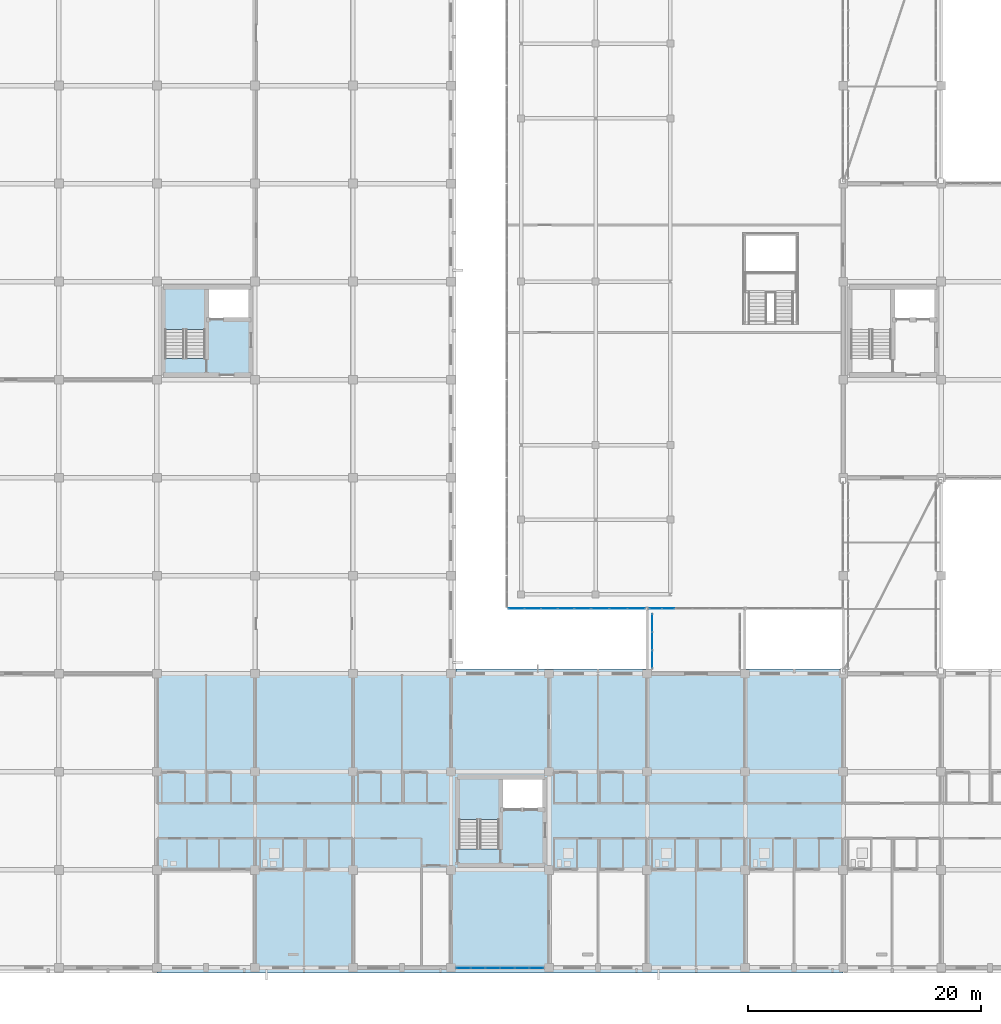
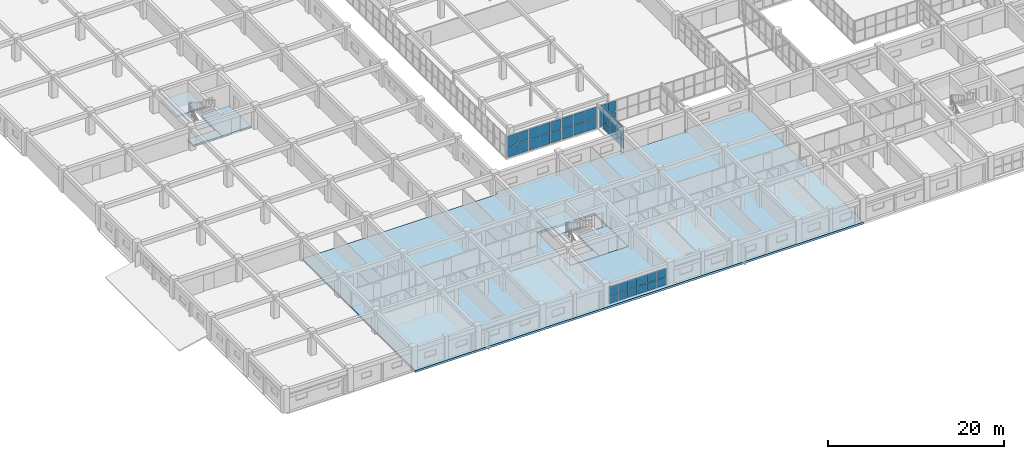
# One storey, part 145 of 200: 38 plates, 7 slabs, 7 elements without a shape of their own.
"""IFC4 building model written with IfcOpenShell, lengths in metres."""

from ifc_helpers import new_model, si_unit, direction, frame, origin, origin_2d, place, context, subcontext, project, spatial, polyline, rectangle, outline, extrude, material, layer, layer_set, type_object, element, aggregate, save


model = new_model("IFC4")

# Units and contexts
model_context = context("Model", 3, precision=1e-05, world=origin(), true_north=direction((0.0, 1.0)))
body_context = subcontext(model_context, "Body", "Model", "MODEL_VIEW")
ifc_project = project(units=[si_unit("LENGTHUNIT", "METRE"), si_unit("AREAUNIT", "SQUARE_METRE"), si_unit("VOLUMEUNIT", "CUBIC_METRE"), si_unit("PLANEANGLEUNIT", "RADIAN"), si_unit("MASSUNIT", "GRAM", prefix="KILO")], contexts=[model_context])

# Site, building, storey
site_placement = place(None, origin())
site = spatial("IfcSite", under=ifc_project, at=site_placement, CompositionType="ELEMENT")
building_placement = place(site_placement, origin())
building = spatial("IfcBuilding", under=site, at=building_placement, Name="Trelvath General Hospital", CompositionType="ELEMENT")
storey_placement = place(building_placement, frame((0.0, 0.0, 4.800048828125)))
storey = spatial("IfcBuildingStorey", under=building, at=storey_placement, Name="L01", CompositionType="ELEMENT", Elevation=4.800048828125)

# Curtain wall, plates
ifc_material_1 = material(Name="Anodised aluminium and low-E glass", Category="aluminium")
ifc_layer_1 = layer(ifc_material_1, 0.14990234375)
ifc_layer_set_1 = layer_set([ifc_layer_1], Name="Anodised aluminium and low-E glass")
curtain_wall_type_1 = type_object("IfcCurtainWallType", Name="CW CrystalCube 710 306 15", PredefinedType="USERDEFINED", material=ifc_layer_set_1)
curtain_wall_1_placement = place(storey_placement, origin())
curtain_wall_1 = element("IfcCurtainWall", 1, at=curtain_wall_1_placement, inside=storey, type_object=curtain_wall_type_1, Name="Crystal Cube Curtain Wall CUBE-W-T0 S1 L01", ObjectType="Unitised Glazed Curtain Wall", PredefinedType="USERDEFINED")
ifc_material_2 = material(Name="Low-E laminated glass", Category="glass")
ifc_layer_2 = layer(ifc_material_2, 0.028076171875)
ifc_layer_set_2 = layer_set([ifc_layer_2], Name="Low-E laminated glass")
plate_type_1 = type_object("IfcPlateType", Name="CurtainPanel Glass28", PredefinedType="CURTAIN_PANEL", material=ifc_layer_set_2)
plate_1_placement = place(storey_placement, frame((53.2548828125, 30.800048828125, 0.06005859375), z_axis=(0.0, 0.0, 1.0), x_axis=(-1.0, 0.0, 0.0)))
plate_1 = element("IfcPlate", 2, at=plate_1_placement, type_object=plate_type_1, Name="CW-128 panel 1.1", PredefinedType="CURTAIN_PANEL", context=body_context, shape_type="SweptSolid", body=[
    extrude(rectangle(XDim=1.330078125, YDim=0.028076171875, at=origin_2d()), origin(), (0.0, 0.0, 1.0), 1.43994140625),
])
plate_2_placement = place(storey_placement, frame((53.2548828125, 30.800048828125, 1.56005859375), z_axis=(0.0, 0.0, 1.0), x_axis=(-1.0, 0.0, 0.0)))
plate_2 = element("IfcPlate", 3, at=plate_2_placement, type_object=plate_type_1, Name="CW-128 panel 1.2", PredefinedType="CURTAIN_PANEL", context=body_context, shape_type="SweptSolid", body=[
    extrude(rectangle(XDim=1.330078125, YDim=0.028076171875, at=origin_2d()), origin(), (0.0, 0.0, 1.0), 1.43994140625),
])
plate_3_placement = place(storey_placement, frame((51.85009765625, 30.800048828125, 0.06005859375), z_axis=(0.0, 0.0, 1.0), x_axis=(-1.0, 0.0, 0.0)))
plate_3 = element("IfcPlate", 4, at=plate_3_placement, type_object=plate_type_1, Name="CW-128 panel 2.1", PredefinedType="CURTAIN_PANEL", context=body_context, shape_type="SweptSolid", body=[
    extrude(rectangle(XDim=1.360107421875, YDim=0.028076171875, at=origin_2d()), origin(), (0.0, 0.0, 1.0), 1.43994140625),
])
plate_4_placement = place(storey_placement, frame((51.85009765625, 30.800048828125, 1.56005859375), z_axis=(0.0, 0.0, 1.0), x_axis=(-1.0, 0.0, 0.0)))
plate_4 = element("IfcPlate", 5, at=plate_4_placement, type_object=plate_type_1, Name="CW-128 panel 2.2", PredefinedType="CURTAIN_PANEL", context=body_context, shape_type="SweptSolid", body=[
    extrude(rectangle(XDim=1.360107421875, YDim=0.028076171875, at=origin_2d()), origin(), (0.0, 0.0, 1.0), 1.43994140625),
])
plate_5_placement = place(storey_placement, frame((50.429931640625, 30.800048828125, 0.06005859375), z_axis=(0.0, 0.0, 1.0), x_axis=(-1.0, 0.0, 0.0)))
plate_5 = element("IfcPlate", 6, at=plate_5_placement, type_object=plate_type_1, Name="CW-128 panel 3.1", PredefinedType="CURTAIN_PANEL", context=body_context, shape_type="SweptSolid", body=[
    extrude(rectangle(XDim=1.360107421875, YDim=0.028076171875, at=origin_2d()), origin(), (0.0, 0.0, 1.0), 1.43994140625),
])
plate_6_placement = place(storey_placement, frame((50.429931640625, 30.800048828125, 1.56005859375), z_axis=(0.0, 0.0, 1.0), x_axis=(-1.0, 0.0, 0.0)))
plate_6 = element("IfcPlate", 7, at=plate_6_placement, type_object=plate_type_1, Name="CW-128 panel 3.2", PredefinedType="CURTAIN_PANEL", context=body_context, shape_type="SweptSolid", body=[
    extrude(rectangle(XDim=1.360107421875, YDim=0.028076171875, at=origin_2d()), origin(), (0.0, 0.0, 1.0), 1.43994140625),
])
plate_7_placement = place(storey_placement, frame((49.010009765625, 30.800048828125, 0.06005859375), z_axis=(0.0, 0.0, 1.0), x_axis=(-1.0, 0.0, 0.0)))
plate_7 = element("IfcPlate", 8, at=plate_7_placement, type_object=plate_type_1, Name="CW-128 panel 4.1", PredefinedType="CURTAIN_PANEL", context=body_context, shape_type="SweptSolid", body=[
    extrude(rectangle(XDim=1.360107421875, YDim=0.028076171875, at=origin_2d()), origin(), (0.0, 0.0, 1.0), 1.43994140625),
])
plate_8_placement = place(storey_placement, frame((49.010009765625, 30.800048828125, 1.56005859375), z_axis=(0.0, 0.0, 1.0), x_axis=(-1.0, 0.0, 0.0)))
plate_8 = element("IfcPlate", 9, at=plate_8_placement, type_object=plate_type_1, Name="CW-128 panel 4.2", PredefinedType="CURTAIN_PANEL", context=body_context, shape_type="SweptSolid", body=[
    extrude(rectangle(XDim=1.360107421875, YDim=0.028076171875, at=origin_2d()), origin(), (0.0, 0.0, 1.0), 1.43994140625),
])
plate_9_placement = place(storey_placement, frame((47.60498046875, 30.800048828125, 0.06005859375), z_axis=(0.0, 0.0, 1.0), x_axis=(-1.0, 0.0, 0.0)))
plate_9 = element("IfcPlate", 10, at=plate_9_placement, type_object=plate_type_1, Name="CW-128 panel 5.1", PredefinedType="CURTAIN_PANEL", context=body_context, shape_type="SweptSolid", body=[
    extrude(rectangle(XDim=1.330078125, YDim=0.028076171875, at=origin_2d()), origin(), (0.0, 0.0, 1.0), 1.43994140625),
])
plate_10_placement = place(storey_placement, frame((47.60498046875, 30.800048828125, 1.56005859375), z_axis=(0.0, 0.0, 1.0), x_axis=(-1.0, 0.0, 0.0)))
plate_10 = element("IfcPlate", 11, at=plate_10_placement, type_object=plate_type_1, Name="CW-128 panel 5.2", PredefinedType="CURTAIN_PANEL", context=body_context, shape_type="SweptSolid", body=[
    extrude(rectangle(XDim=1.330078125, YDim=0.028076171875, at=origin_2d()), origin(), (0.0, 0.0, 1.0), 1.43994140625),
])
aggregate(curtain_wall_1, [plate_1, plate_2, plate_3, plate_4, plate_5, plate_6, plate_7, plate_8, plate_9, plate_10])

ifc_material_3 = material(Name="Anodised aluminium and low-E glass", Category="aluminium")
ifc_layer_3 = layer(ifc_material_3, 0.14990234375)
ifc_layer_set_3 = layer_set([ifc_layer_3], Name="Anodised aluminium and low-E glass")
curtain_wall_type_2 = type_object("IfcCurtainWallType", Name="CW CrystalCube 463 306 15", PredefinedType="USERDEFINED", material=ifc_layer_set_3)
curtain_wall_2_placement = place(storey_placement, origin())
curtain_wall_2 = element("IfcCurtainWall", 12, at=curtain_wall_2_placement, inside=storey, type_object=curtain_wall_type_2, Name="Crystal Cube Curtain Wall CUBE-W-T0 S2 L01", ObjectType="Unitised Glazed Curtain Wall", PredefinedType="USERDEFINED")
plate_11_placement = place(storey_placement, frame((57.86328125, 30.800048828125, 0.06005859375), z_axis=(0.0, 0.0, 1.0), x_axis=(-1.0, 0.0, 0.0)))
plate_11 = element("IfcPlate", 13, at=plate_11_placement, type_object=plate_type_1, Name="CW-129 panel 1.1", PredefinedType="CURTAIN_PANEL", context=body_context, shape_type="SweptSolid", body=[
    extrude(rectangle(XDim=1.453369140625, YDim=0.028076171875, at=origin_2d()), origin(), (0.0, 0.0, 1.0), 1.43994140625),
])
plate_12_placement = place(storey_placement, frame((57.86328125, 30.800048828125, 1.56005859375), z_axis=(0.0, 0.0, 1.0), x_axis=(-1.0, 0.0, 0.0)))
plate_12 = element("IfcPlate", 14, at=plate_12_placement, type_object=plate_type_1, Name="CW-129 panel 1.2", PredefinedType="CURTAIN_PANEL", context=body_context, shape_type="SweptSolid", body=[
    extrude(rectangle(XDim=1.453369140625, YDim=0.028076171875, at=origin_2d()), origin(), (0.0, 0.0, 1.0), 1.43994140625),
])
plate_13_placement = place(storey_placement, frame((56.3349609375, 30.800048828125, 0.06005859375), z_axis=(0.0, 0.0, 1.0), x_axis=(-1.0, 0.0, 0.0)))
plate_13 = element("IfcPlate", 15, at=plate_13_placement, type_object=plate_type_1, Name="CW-129 panel 2.1", PredefinedType="CURTAIN_PANEL", context=body_context, shape_type="SweptSolid", body=[
    extrude(rectangle(XDim=1.4833984375, YDim=0.028076171875, at=origin_2d()), origin(), (0.0, 0.0, 1.0), 1.43994140625),
])
plate_14_placement = place(storey_placement, frame((56.3349609375, 30.800048828125, 1.56005859375), z_axis=(0.0, 0.0, 1.0), x_axis=(-1.0, 0.0, 0.0)))
plate_14 = element("IfcPlate", 16, at=plate_14_placement, type_object=plate_type_1, Name="CW-129 panel 2.2", PredefinedType="CURTAIN_PANEL", context=body_context, shape_type="SweptSolid", body=[
    extrude(rectangle(XDim=1.4833984375, YDim=0.028076171875, at=origin_2d()), origin(), (0.0, 0.0, 1.0), 1.43994140625),
])
plate_15_placement = place(storey_placement, frame((54.806640625, 30.800048828125, 0.06005859375), z_axis=(0.0, 0.0, 1.0), x_axis=(-1.0, 0.0, 0.0)))
plate_15 = element("IfcPlate", 17, at=plate_15_placement, type_object=plate_type_1, Name="CW-129 panel 3.1", PredefinedType="CURTAIN_PANEL", context=body_context, shape_type="SweptSolid", body=[
    extrude(rectangle(XDim=1.453369140625, YDim=0.028076171875, at=origin_2d()), origin(), (0.0, 0.0, 1.0), 1.43994140625),
])
plate_16_placement = place(storey_placement, frame((54.806640625, 30.800048828125, 1.56005859375), z_axis=(0.0, 0.0, 1.0), x_axis=(-1.0, 0.0, 0.0)))
plate_16 = element("IfcPlate", 18, at=plate_16_placement, type_object=plate_type_1, Name="CW-129 panel 3.2", PredefinedType="CURTAIN_PANEL", context=body_context, shape_type="SweptSolid", body=[
    extrude(rectangle(XDim=1.453369140625, YDim=0.028076171875, at=origin_2d()), origin(), (0.0, 0.0, 1.0), 1.43994140625),
])
aggregate(curtain_wall_2, [plate_11, plate_12, plate_13, plate_14, plate_15, plate_16])

ifc_material_4 = material(Name="Anodised aluminium and low-E glass", Category="aluminium")
ifc_layer_4 = layer(ifc_material_4, 0.14990234375)
ifc_layer_set_4 = layer_set([ifc_layer_4], Name="Anodised aluminium and low-E glass")
curtain_wall_type_3 = type_object("IfcCurtainWallType", Name="CW CrystalCube 223 306 15", PredefinedType="USERDEFINED", material=ifc_layer_set_4)
curtain_wall_3_placement = place(storey_placement, origin())
curtain_wall_3 = element("IfcCurtainWall", 19, at=curtain_wall_3_placement, inside=storey, type_object=curtain_wall_type_3, Name="Crystal Cube Curtain Wall CUBE-W-T0 S3 L01", ObjectType="Unitised Glazed Curtain Wall", PredefinedType="USERDEFINED")
plate_17_placement = place(storey_placement, frame((60.607421875, 30.800048828125, 0.06005859375), z_axis=(0.0, 0.0, 1.0), x_axis=(-1.0, 0.0, 0.0)))
plate_17 = element("IfcPlate", 20, at=plate_17_placement, type_object=plate_type_1, Name="CW-130 panel 1.1", PredefinedType="CURTAIN_PANEL", context=body_context, shape_type="SweptSolid", body=[
    extrude(rectangle(XDim=1.02490234375, YDim=0.028076171875, at=origin_2d()), origin(), (0.0, 0.0, 1.0), 1.43994140625),
])
plate_18_placement = place(storey_placement, frame((60.607421875, 30.800048828125, 1.56005859375), z_axis=(0.0, 0.0, 1.0), x_axis=(-1.0, 0.0, 0.0)))
plate_18 = element("IfcPlate", 21, at=plate_18_placement, type_object=plate_type_1, Name="CW-130 panel 1.2", PredefinedType="CURTAIN_PANEL", context=body_context, shape_type="SweptSolid", body=[
    extrude(rectangle(XDim=1.02490234375, YDim=0.028076171875, at=origin_2d()), origin(), (0.0, 0.0, 1.0), 1.43994140625),
])
plate_19_placement = place(storey_placement, frame((59.5224609375, 30.800048828125, 0.06005859375), z_axis=(0.0, 0.0, 1.0), x_axis=(-1.0, 0.0, 0.0)))
plate_19 = element("IfcPlate", 22, at=plate_19_placement, type_object=plate_type_1, Name="CW-130 panel 2.1", PredefinedType="CURTAIN_PANEL", context=body_context, shape_type="SweptSolid", body=[
    extrude(rectangle(XDim=1.02490234375, YDim=0.028076171875, at=origin_2d()), origin(), (0.0, 0.0, 1.0), 1.43994140625),
])
plate_20_placement = place(storey_placement, frame((59.5224609375, 30.800048828125, 1.56005859375), z_axis=(0.0, 0.0, 1.0), x_axis=(-1.0, 0.0, 0.0)))
plate_20 = element("IfcPlate", 23, at=plate_20_placement, type_object=plate_type_1, Name="CW-130 panel 2.2", PredefinedType="CURTAIN_PANEL", context=body_context, shape_type="SweptSolid", body=[
    extrude(rectangle(XDim=1.02490234375, YDim=0.028076171875, at=origin_2d()), origin(), (0.0, 0.0, 1.0), 1.43994140625),
])
aggregate(curtain_wall_3, [plate_17, plate_18, plate_19, plate_20])

ifc_material_5 = material(Name="Anodised aluminium and low-E glass", Category="aluminium")
ifc_layer_5 = layer(ifc_material_5, 0.139892578125)
ifc_layer_set_5 = layer_set([ifc_layer_5], Name="Anodised aluminium and low-E glass")
curtain_wall_type_4 = type_object("IfcCurtainWallType", Name="CW Bridge 472 311", PredefinedType="USERDEFINED", material=ifc_layer_set_5)
curtain_wall_4_placement = place(storey_placement, origin())
curtain_wall_4 = element("IfcCurtainWall", 24, at=curtain_wall_4_placement, inside=storey, type_object=curtain_wall_type_4, Name="Glazed Bridge Curtain Wall BRG-S-W W L01", ObjectType="Unitised Glazed Curtain Wall", PredefinedType="USERDEFINED")
plate_21_placement = place(storey_placement, frame((59.239990234375, 26.441650390625, 0.06005859375), z_axis=(0.0, 0.0, 1.0), x_axis=(0.0, 1.0, 0.0)))
plate_21 = element("IfcPlate", 25, at=plate_21_placement, type_object=plate_type_1, Name="CW-184 panel 1.1", PredefinedType="CURTAIN_PANEL", context=body_context, shape_type="SweptSolid", body=[
    extrude(rectangle(XDim=1.4833984375, YDim=0.028076171875, at=origin_2d()), origin(), (0.0, 0.0, 1.0), 1.010009765625),
])
plate_22_placement = place(storey_placement, frame((59.239990234375, 26.441650390625, 1.1298828125), z_axis=(0.0, 0.0, 1.0), x_axis=(0.0, 1.0, 0.0)))
plate_22 = element("IfcPlate", 26, at=plate_22_placement, type_object=plate_type_1, Name="CW-184 panel 1.2", PredefinedType="CURTAIN_PANEL", context=body_context, shape_type="SweptSolid", body=[
    extrude(rectangle(XDim=1.4833984375, YDim=0.028076171875, at=origin_2d()), origin(), (0.0, 0.0, 1.0), 1.919921875),
])
plate_23_placement = place(storey_placement, frame((59.239990234375, 28.0, 0.06005859375), z_axis=(0.0, 0.0, 1.0), x_axis=(0.0, 1.0, 0.0)))
plate_23 = element("IfcPlate", 27, at=plate_23_placement, type_object=plate_type_1, Name="CW-184 panel 2.1", PredefinedType="CURTAIN_PANEL", context=body_context, shape_type="SweptSolid", body=[
    extrude(rectangle(XDim=1.513427734375, YDim=0.028076171875, at=origin_2d()), origin(), (0.0, 0.0, 1.0), 1.010009765625),
])
plate_24_placement = place(storey_placement, frame((59.239990234375, 28.0, 1.1298828125), z_axis=(0.0, 0.0, 1.0), x_axis=(0.0, 1.0, 0.0)))
plate_24 = element("IfcPlate", 28, at=plate_24_placement, type_object=plate_type_1, Name="CW-184 panel 2.2", PredefinedType="CURTAIN_PANEL", context=body_context, shape_type="SweptSolid", body=[
    extrude(rectangle(XDim=1.513427734375, YDim=0.028076171875, at=origin_2d()), origin(), (0.0, 0.0, 1.0), 1.919921875),
])
plate_25_placement = place(storey_placement, frame((59.239990234375, 29.558349609375, 0.06005859375), z_axis=(0.0, 0.0, 1.0), x_axis=(0.0, 1.0, 0.0)))
plate_25 = element("IfcPlate", 29, at=plate_25_placement, type_object=plate_type_1, Name="CW-184 panel 3.1", PredefinedType="CURTAIN_PANEL", context=body_context, shape_type="SweptSolid", body=[
    extrude(rectangle(XDim=1.4833984375, YDim=0.028076171875, at=origin_2d()), origin(), (0.0, 0.0, 1.0), 1.010009765625),
])
plate_26_placement = place(storey_placement, frame((59.239990234375, 29.558349609375, 1.1298828125), z_axis=(0.0, 0.0, 1.0), x_axis=(0.0, 1.0, 0.0)))
plate_26 = element("IfcPlate", 30, at=plate_26_placement, type_object=plate_type_1, Name="CW-184 panel 3.2", PredefinedType="CURTAIN_PANEL", context=body_context, shape_type="SweptSolid", body=[
    extrude(rectangle(XDim=1.4833984375, YDim=0.028076171875, at=origin_2d()), origin(), (0.0, 0.0, 1.0), 1.919921875),
])
aggregate(curtain_wall_4, [plate_21, plate_22, plate_23, plate_24, plate_25, plate_26])

ifc_material_6 = material(Name="Anodised aluminium and low-E glass", Category="aluminium")
ifc_layer_6 = layer(ifc_material_6, 0.159912109375)
ifc_layer_set_6 = layer_set([ifc_layer_6], Name="Anodised aluminium and low-E glass")
curtain_wall_type_5 = type_object("IfcCurtainWallType", Name="CW Facade 754 242 16", PredefinedType="USERDEFINED", material=ifc_layer_set_6)
curtain_wall_5_placement = place(storey_placement, origin())
curtain_wall_5 = element("IfcCurtainWall", 31, at=curtain_wall_5_placement, inside=storey, type_object=curtain_wall_type_5, Name="Facade Curtain Wall CW-014", ObjectType="Unitised Glazed Curtain Wall", PredefinedType="USERDEFINED")
ifc_material_7 = material(Name="Insulated aluminium spandrel", Category="aluminium")
ifc_layer_7 = layer(ifc_material_7, 0.0439453125)
ifc_layer_set_7 = layer_set([ifc_layer_7], Name="Insulated aluminium spandrel")
plate_type_2 = type_object("IfcPlateType", Name="CurtainPanel Spandrel44", PredefinedType="CURTAIN_PANEL", material=ifc_layer_set_7)
plate_27_placement = place(storey_placement, frame((49.32666015625, 0.0, 0.06005859375), z_axis=(0.0, 0.0, 1.0), x_axis=(-1.0, 0.0, 0.0)))
plate_27 = element("IfcPlate", 32, at=plate_27_placement, type_object=plate_type_2, Name="CW-014 panel 1.1", PredefinedType="CURTAIN_PANEL", context=body_context, shape_type="SweptSolid", body=[
    extrude(rectangle(XDim=1.166748046875, YDim=0.0439453125, at=origin_2d()), origin(), (0.0, 0.0, 1.0), 1.072021484375),
])
plate_28_placement = place(storey_placement, frame((49.32666015625, 0.0, 1.19189453125), z_axis=(0.0, 0.0, 1.0), x_axis=(-1.0, 0.0, 0.0)))
plate_28 = element("IfcPlate", 33, at=plate_28_placement, type_object=plate_type_2, Name="CW-014 panel 1.2", PredefinedType="CURTAIN_PANEL", context=body_context, shape_type="SweptSolid", body=[
    extrude(rectangle(XDim=1.166748046875, YDim=0.0439453125, at=origin_2d()), origin(), (0.0, 0.0, 1.0), 1.16796875),
])
plate_29_placement = place(storey_placement, frame((48.0849609375, 0.0, 0.06005859375), z_axis=(0.0, 0.0, 1.0), x_axis=(-1.0, 0.0, 0.0)))
plate_29 = element("IfcPlate", 34, at=plate_29_placement, type_object=plate_type_2, Name="CW-014 panel 2.1", PredefinedType="CURTAIN_PANEL", context=body_context, shape_type="SweptSolid", body=[
    extrude(rectangle(XDim=1.19677734375, YDim=0.0439453125, at=origin_2d()), origin(), (0.0, 0.0, 1.0), 1.072021484375),
])
plate_30_placement = place(storey_placement, frame((48.0849609375, 0.0, 1.19189453125), z_axis=(0.0, 0.0, 1.0), x_axis=(-1.0, 0.0, 0.0)))
plate_30 = element("IfcPlate", 35, at=plate_30_placement, type_object=plate_type_2, Name="CW-014 panel 2.2", PredefinedType="CURTAIN_PANEL", context=body_context, shape_type="SweptSolid", body=[
    extrude(rectangle(XDim=1.19677734375, YDim=0.0439453125, at=origin_2d()), origin(), (0.0, 0.0, 1.0), 1.16796875),
])
plate_31_placement = place(storey_placement, frame((46.828369140625, 0.0, 0.06005859375), z_axis=(0.0, 0.0, 1.0), x_axis=(-1.0, 0.0, 0.0)))
plate_31 = element("IfcPlate", 36, at=plate_31_placement, type_object=plate_type_2, Name="CW-014 panel 3.1", PredefinedType="CURTAIN_PANEL", context=body_context, shape_type="SweptSolid", body=[
    extrude(rectangle(XDim=1.19677734375, YDim=0.0439453125, at=origin_2d()), origin(), (0.0, 0.0, 1.0), 1.072021484375),
])
plate_32_placement = place(storey_placement, frame((46.828369140625, 0.0, 1.19189453125), z_axis=(0.0, 0.0, 1.0), x_axis=(-1.0, 0.0, 0.0)))
plate_32 = element("IfcPlate", 37, at=plate_32_placement, type_object=plate_type_2, Name="CW-014 panel 3.2", PredefinedType="CURTAIN_PANEL", context=body_context, shape_type="SweptSolid", body=[
    extrude(rectangle(XDim=1.19677734375, YDim=0.0439453125, at=origin_2d()), origin(), (0.0, 0.0, 1.0), 1.16796875),
])
plate_33_placement = place(storey_placement, frame((45.57177734375, 0.0, 0.06005859375), z_axis=(0.0, 0.0, 1.0), x_axis=(-1.0, 0.0, 0.0)))
plate_33 = element("IfcPlate", 38, at=plate_33_placement, type_object=plate_type_2, Name="CW-014 panel 4.1", PredefinedType="CURTAIN_PANEL", context=body_context, shape_type="SweptSolid", body=[
    extrude(rectangle(XDim=1.19677734375, YDim=0.0439453125, at=origin_2d()), origin(), (0.0, 0.0, 1.0), 1.072021484375),
])
plate_34_placement = place(storey_placement, frame((45.57177734375, 0.0, 1.19189453125), z_axis=(0.0, 0.0, 1.0), x_axis=(-1.0, 0.0, 0.0)))
plate_34 = element("IfcPlate", 39, at=plate_34_placement, type_object=plate_type_2, Name="CW-014 panel 4.2", PredefinedType="CURTAIN_PANEL", context=body_context, shape_type="SweptSolid", body=[
    extrude(rectangle(XDim=1.19677734375, YDim=0.0439453125, at=origin_2d()), origin(), (0.0, 0.0, 1.0), 1.16796875),
])
plate_35_placement = place(storey_placement, frame((44.31494140625, 0.0, 0.06005859375), z_axis=(0.0, 0.0, 1.0), x_axis=(-1.0, 0.0, 0.0)))
plate_35 = element("IfcPlate", 40, at=plate_35_placement, type_object=plate_type_2, Name="CW-014 panel 5.1", PredefinedType="CURTAIN_PANEL", context=body_context, shape_type="SweptSolid", body=[
    extrude(rectangle(XDim=1.19677734375, YDim=0.0439453125, at=origin_2d()), origin(), (0.0, 0.0, 1.0), 1.072021484375),
])
plate_36_placement = place(storey_placement, frame((44.31494140625, 0.0, 1.19189453125), z_axis=(0.0, 0.0, 1.0), x_axis=(-1.0, 0.0, 0.0)))
plate_36 = element("IfcPlate", 41, at=plate_36_placement, type_object=plate_type_2, Name="CW-014 panel 5.2", PredefinedType="CURTAIN_PANEL", context=body_context, shape_type="SweptSolid", body=[
    extrude(rectangle(XDim=1.19677734375, YDim=0.0439453125, at=origin_2d()), origin(), (0.0, 0.0, 1.0), 1.16796875),
])
plate_37_placement = place(storey_placement, frame((43.0732421875, 0.0, 0.06005859375), z_axis=(0.0, 0.0, 1.0), x_axis=(-1.0, 0.0, 0.0)))
plate_37 = element("IfcPlate", 42, at=plate_37_placement, type_object=plate_type_2, Name="CW-014 panel 6.1", PredefinedType="CURTAIN_PANEL", context=body_context, shape_type="SweptSolid", body=[
    extrude(rectangle(XDim=1.166748046875, YDim=0.0439453125, at=origin_2d()), origin(), (0.0, 0.0, 1.0), 1.072021484375),
])
plate_38_placement = place(storey_placement, frame((43.0732421875, 0.0, 1.19189453125), z_axis=(0.0, 0.0, 1.0), x_axis=(-1.0, 0.0, 0.0)))
plate_38 = element("IfcPlate", 43, at=plate_38_placement, type_object=plate_type_2, Name="CW-014 panel 6.2", PredefinedType="CURTAIN_PANEL", context=body_context, shape_type="SweptSolid", body=[
    extrude(rectangle(XDim=1.166748046875, YDim=0.0439453125, at=origin_2d()), origin(), (0.0, 0.0, 1.0), 1.16796875),
])
aggregate(curtain_wall_5, [plate_27, plate_28, plate_29, plate_30, plate_31, plate_32, plate_33, plate_34, plate_35, plate_36, plate_37, plate_38])

# Slabs
ifc_material_8 = material(Name="Concrete C35/45", Category="concrete")
ifc_layer_8 = layer(ifc_material_8, 0.280029296875)
ifc_layer_set_8 = layer_set([ifc_layer_8], Name="Concrete C35/45")
slab_type_1 = type_object("IfcSlabType", Name="FlatSlab Clinical280", PredefinedType="FLOOR", material=ifc_layer_set_8)
slab_1_placement = place(storey_placement, frame((0.0, 0.0, -0.280029296875)))
element("IfcSlab", 44, at=slab_1_placement, inside=storey, type_object=slab_type_1, Name="Floor Slab SL-L01-V6-S1", PredefinedType="FLOOR", context=body_context, shape_type="SweptSolid", body=[
    extrude(outline(polyline([(75.60009765625, -0.02001953125), (75.60009765625, -0.419921875), (16.820068359375, -0.419921875), (16.820068359375, 25.179931640625), (42.02001953125, 25.179931640625), (42.02001953125, 25.199951171875), (42.43994140625, 25.199951171875), (42.43994140625, 25.6201171875), (58.800048828125, 25.6201171875), (58.800048828125, 25.199951171875), (67.199951171875, 25.199951171875), (67.199951171875, 25.6201171875), (75.60009765625, 25.6201171875), (75.60009765625, 25.219970703125), (75.580078125, 25.219970703125), (75.60009765625, 25.199951171875), (75.60009765625, 0.0), (75.580078125, -0.02001953125), (75.60009765625, -0.02001953125)]), holes=[polyline([(42.550048828125, 8.800048828125), (50.050048828125, 8.800048828125), (50.050048828125, 16.35009765625), (42.550048828125, 16.35009765625), (42.550048828125, 8.800048828125)])]), origin(), (0.0, 0.0, 1.0), 0.280029296875),
])
slab_2_placement = place(storey_placement, frame((0.0, 0.0, -0.280029296875)))
element("IfcSlab", 45, at=slab_2_placement, inside=storey, type_object=slab_type_1, Name="Core Lobby Slab C4 L01", PredefinedType="FLOOR", context=body_context, shape_type="SweptSolid", body=[
    extrude(outline(polyline([(46.25, 8.800048828125), (50.050048828125, 8.800048828125), (50.050048828125, 13.550048828125), (46.25, 13.550048828125), (46.25, 8.800048828125)])), origin(), (0.0, 0.0, 1.0), 0.280029296875),
])
slab_3_placement = place(storey_placement, frame((0.0, 0.0, -0.280029296875)))
element("IfcSlab", 46, at=slab_3_placement, inside=storey, type_object=slab_type_1, Name="Stair Landing Slab C4 L01", PredefinedType="FLOOR", context=body_context, shape_type="SweptSolid", body=[
    extrude(outline(polyline([(42.550048828125, 8.800048828125), (46.25, 8.800048828125), (46.25, 10.199951171875), (42.550048828125, 10.199951171875), (42.550048828125, 8.800048828125)])), origin(), (0.0, 0.0, 1.0), 0.280029296875),
])
slab_4_placement = place(storey_placement, frame((0.0, 0.0, -0.280029296875)))
element("IfcSlab", 47, at=slab_4_placement, inside=storey, type_object=slab_type_1, Name="Core Lobby Slab C8 L01", PredefinedType="FLOOR", context=body_context, shape_type="SweptSolid", body=[
    extrude(outline(polyline([(21.050048828125, 50.800048828125), (24.85009765625, 50.800048828125), (24.85009765625, 55.550048828125), (21.050048828125, 55.550048828125), (21.050048828125, 50.800048828125)])), origin(), (0.0, 0.0, 1.0), 0.280029296875),
])
slab_5_placement = place(storey_placement, frame((0.0, 0.0, -0.280029296875)))
element("IfcSlab", 48, at=slab_5_placement, inside=storey, type_object=slab_type_1, Name="Stair Landing Slab C8 L01", PredefinedType="FLOOR", context=body_context, shape_type="SweptSolid", body=[
    extrude(outline(polyline([(17.35009765625, 50.800048828125), (21.050048828125, 50.800048828125), (21.050048828125, 52.199951171875), (17.35009765625, 52.199951171875), (17.35009765625, 50.800048828125)])), origin(), (0.0, 0.0, 1.0), 0.280029296875),
])

# Stair, slab
ifc_material_9 = material(Name="Concrete C35/45", Category="concrete")
stair_type = type_object("IfcStairType", Name="Stair Stretcher330", PredefinedType="TWO_STRAIGHT_RUN_STAIR", material=ifc_material_9)
stair_1_placement = place(storey_placement, origin())
stair_1 = element("IfcStair", 49, at=stair_1_placement, inside=storey, type_object=stair_type, Name="Exit Stair ST4 L01", PredefinedType="TWO_STRAIGHT_RUN_STAIR")
ifc_material_10 = material(Name="Concrete C35/45", Category="concrete")
ifc_layer_9 = layer(ifc_material_10, 0.199951171875)
ifc_layer_set_9 = layer_set([ifc_layer_9], Name="Concrete C35/45")
slab_type_2 = type_object("IfcSlabType", Name="StairLanding 200", PredefinedType="LANDING", material=ifc_layer_set_9)
slab_6_placement = place(storey_placement, frame((0.0, 0.0, 1.449951171875)))
slab_6 = element("IfcSlab", 50, at=slab_6_placement, type_object=slab_type_2, Name="ST4-L01 landing 1", PredefinedType="LANDING", context=body_context, shape_type="SweptSolid", body=[
    extrude(outline(polyline([(42.56005859375, 12.719970703125), (46.239990234375, 12.719970703125), (46.239990234375, 16.340087890625), (42.56005859375, 16.340087890625), (42.56005859375, 12.719970703125)])), origin(), (0.0, 0.0, 1.0), 0.199951171875),
])
aggregate(stair_1, [slab_6])

stair_2_placement = place(storey_placement, origin())
stair_2 = element("IfcStair", 51, at=stair_2_placement, inside=storey, type_object=stair_type, Name="Exit Stair ST8 L01", PredefinedType="TWO_STRAIGHT_RUN_STAIR")
slab_7_placement = place(storey_placement, frame((0.0, 0.0, 1.449951171875)))
slab_7 = element("IfcSlab", 52, at=slab_7_placement, type_object=slab_type_2, Name="ST8-L01 landing 1", PredefinedType="LANDING", context=body_context, shape_type="SweptSolid", body=[
    extrude(outline(polyline([(17.360107421875, 54.719970703125), (21.0400390625, 54.719970703125), (21.0400390625, 58.340087890625), (17.360107421875, 58.340087890625), (17.360107421875, 54.719970703125)])), origin(), (0.0, 0.0, 1.0), 0.199951171875),
])
aggregate(stair_2, [slab_7])

save(model, "model.ifc")
